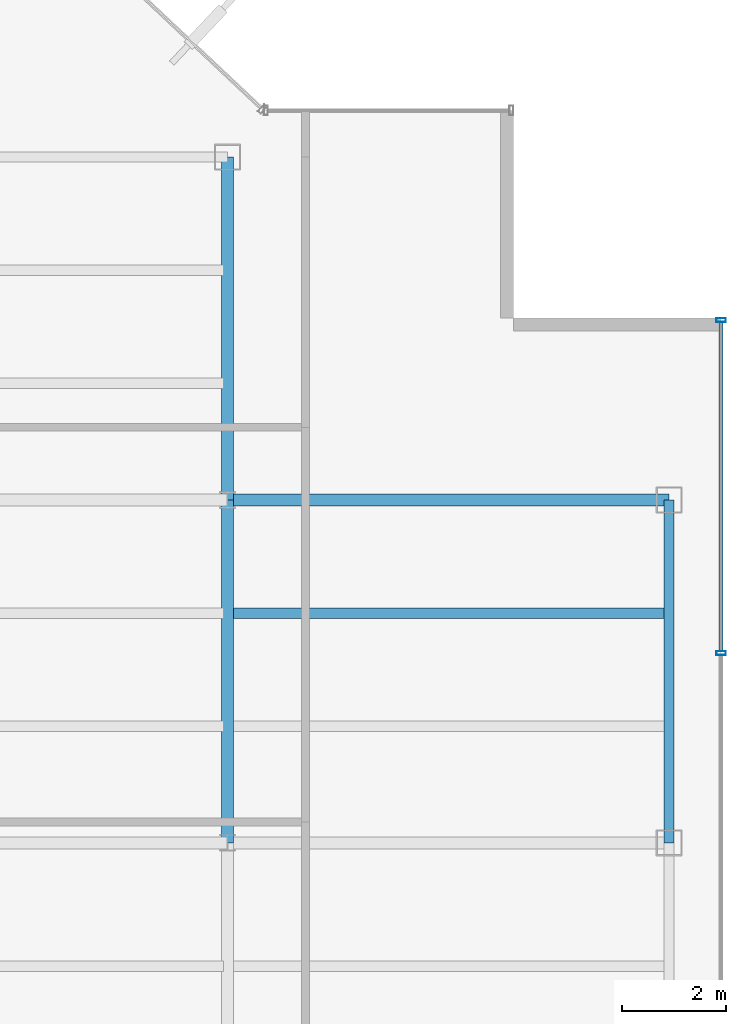
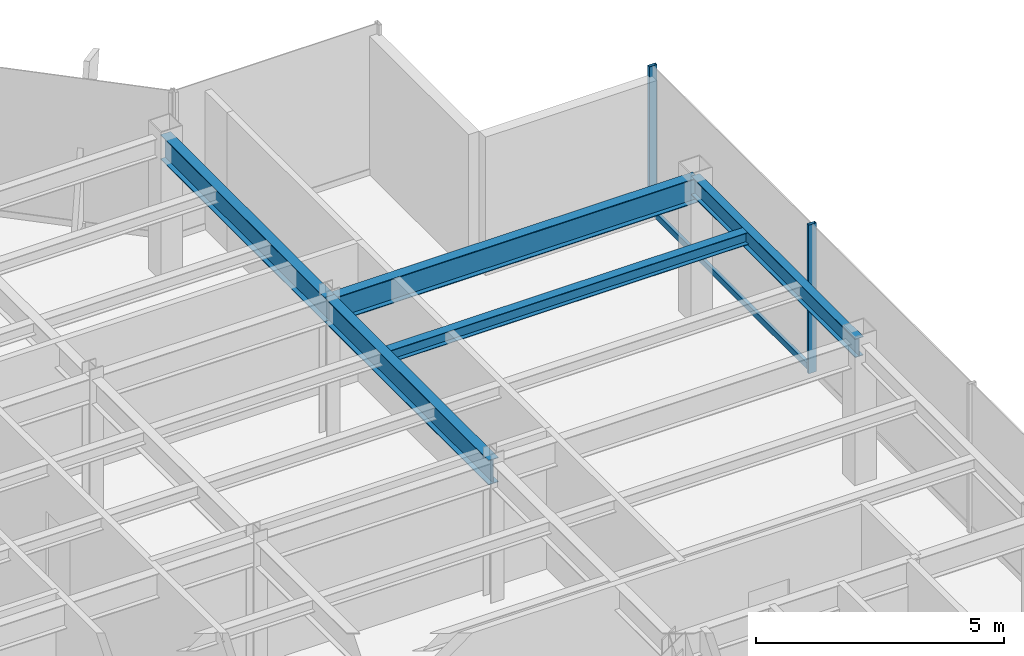
# One storey, part 11 of 22: 5 beams, 3 members, 1 element without a shape of its own.
"""IFC4 building model written with IfcOpenShell, lengths in metres."""

import ifcopenshell
import ifcopenshell.guid

model = None  # the IFC model being written
_history = None  # IfcOwnerHistory: only IFC2X3 demands one
_inside = {}  # id of a spatial element -> (the spatial element, [elements in it])
_under = {}  # id of a project, library or spatial element -> (it, [spatial elements below it])
_declared = {}  # id of a project -> (the project, [libraries it declares])
_typed = {}  # id of a type object -> (the type object, [elements of that type])
_made_of = {}  # id of a material, layer set ... -> (it, [elements and type objects made of it])


def new_model(schema):
    """Start an empty IFC model of exactly this schema.

    Asked for "IFC4X3", IfcOpenShell would pick the latest addendum, in which some entities
    have other attributes; the version numbers below select the first issue.
    IFC2X3 requires an IfcOwnerHistory on every rooted entity: one is made here for all.
    """
    global model, _history
    if schema == "IFC4X3":
        model = ifcopenshell.file(schema_version=(4, 3, 0, 0))
    else:
        model = ifcopenshell.file(schema=schema)
    _inside.clear()
    _under.clear()
    _declared.clear()
    _typed.clear()
    _made_of.clear()
    _history = None
    if model.schema == "IFC2X3":
        org = make("IfcOrganization", Name="unknown")
        user = make(
            "IfcPersonAndOrganization",
            ThePerson=make("IfcPerson", FamilyName="unknown"),
            TheOrganization=org,
        )
        app = make(
            "IfcApplication",
            ApplicationDeveloper=org,
            Version="unknown",
            ApplicationFullName="unknown",
            ApplicationIdentifier="unknown",
        )
        _history = make(
            "IfcOwnerHistory",
            OwningUser=user,
            OwningApplication=app,
            ChangeAction="ADDED",
            CreationDate=0,
        )
    return model


def make(cls, **values):
    """One entity of the class cls with the attributes given. An attribute that is None is left unset."""
    return model.create_entity(
        cls, **{name: value for name, value in values.items() if value is not None}
    )


def rooted(cls, **values):
    """An entity with a GlobalId (a new one), such as an element, a storey or a relation."""
    return make(cls, GlobalId=ifcopenshell.guid.new(), OwnerHistory=_history, **values)


def si_unit(unit_type, name, prefix=None):
    """IfcSIUnit, for example si_unit("LENGTHUNIT", "METRE", prefix="MILLI")."""
    return make("IfcSIUnit", UnitType=unit_type, Prefix=prefix, Name=name)


def derived_unit(unit_type, elements):
    """IfcDerivedUnit: a product of units, each with its exponent."""
    return make(
        "IfcDerivedUnit",
        Elements=[
            make("IfcDerivedUnitElement", Unit=unit, Exponent=power)
            for unit, power in elements
        ],
        UnitType=unit_type,
    )


def assignment(units):
    """IfcUnitAssignment: the units of a project."""
    return None if units is None else make("IfcUnitAssignment", Units=units)


def point(xyz):
    """IfcCartesianPoint."""
    return None if xyz is None else make("IfcCartesianPoint", Coordinates=xyz)


def direction(xyz):
    """IfcDirection."""
    return None if xyz is None else make("IfcDirection", DirectionRatios=xyz)


def frame(location, z_axis=None, x_axis=None):
    """IfcAxis2Placement3D, a coordinate frame: its origin and axes. An axis left out is left unset."""
    return make(
        "IfcAxis2Placement3D",
        Location=point(location),
        Axis=direction(z_axis),
        RefDirection=direction(x_axis),
    )


def frame_2d(location, x_axis=None):
    """IfcAxis2Placement2D, a coordinate frame in the plane: its origin and x axis."""
    return make(
        "IfcAxis2Placement2D", Location=point(location), RefDirection=direction(x_axis)
    )


def origin():
    """The frame at (0, 0, 0) with its axes left unset."""
    return frame((0.0, 0.0, 0.0))


def origin_2d():
    """The frame at (0, 0) in the plane with its x axis left unset."""
    return frame_2d((0.0, 0.0))


def place(relative_to, where):
    """IfcLocalPlacement: puts the frame where relative to a parent placement (None: the world)."""
    return make(
        "IfcLocalPlacement", PlacementRelTo=relative_to, RelativePlacement=where
    )


def context(
    kind, dimensions, precision=None, world=None, true_north=None, identifier=None
):
    """IfcGeometricRepresentationContext, for example the 3D "Model" context."""
    return make(
        "IfcGeometricRepresentationContext",
        ContextIdentifier=identifier,
        ContextType=kind,
        CoordinateSpaceDimension=dimensions,
        Precision=precision,
        WorldCoordinateSystem=world,
        TrueNorth=true_north,
    )


def subcontext(parent, identifier, kind, view, scale=None):
    """IfcGeometricRepresentationSubContext, for example "Body" below "Model"."""
    return make(
        "IfcGeometricRepresentationSubContext",
        ContextIdentifier=identifier,
        ContextType=kind,
        ParentContext=parent,
        TargetScale=scale,
        TargetView=view,
    )


def project(units=None, contexts=None):
    """IfcProject with its units and contexts."""
    return rooted(
        "IfcProject",
        Name="project",
        RepresentationContexts=contexts,
        UnitsInContext=assignment(units),
    )


def spatial(cls, under=None, at=None, **own):
    """A site, building, storey or space (cls), placed at a placement, below another one or the project."""
    s = rooted(cls, ObjectPlacement=at, **own)
    if under is not None:
        _under.setdefault(under.id(), (under, []))[1].append(s)
    return s


def profile(cls, at=None, kind="AREA", **sizes):
    """A parametric profile (cls). Its sizes go by their IFC names, for example OverallWidth=200.0."""
    return make(cls, ProfileType=kind, Position=at, **sizes)


def hollow_rectangle(**sizes):
    """IfcRectangleHollowProfileDef."""
    return profile("IfcRectangleHollowProfileDef", **sizes)


def i_section(**sizes):
    """IfcIShapeProfileDef."""
    return profile("IfcIShapeProfileDef", **sizes)


def extrude(swept, where, along, depth):
    """IfcExtrudedAreaSolid: the profile swept, set in the frame where, extruded along a direction by depth."""
    return make(
        "IfcExtrudedAreaSolid",
        SweptArea=swept,
        Position=where,
        ExtrudedDirection=direction(along),
        Depth=depth,
    )


def shape(context_of_items, identifier, shape_type, items):
    """IfcShapeRepresentation: the items that make up one representation, for example the "Body"."""
    return make(
        "IfcShapeRepresentation",
        ContextOfItems=context_of_items,
        RepresentationIdentifier=identifier,
        RepresentationType=shape_type,
        Items=items,
    )


def source(mapping_origin, context_of_items, identifier, shape_type, items):
    """IfcRepresentationMap: a shape defined once, which mapped items show again and again."""
    return make(
        "IfcRepresentationMap",
        MappingOrigin=mapping_origin,
        MappedRepresentation=shape(context_of_items, identifier, shape_type, items),
    )


def transform(
    local_origin,
    x_axis=None,
    y_axis=None,
    z_axis=None,
    scale=None,
    scale2=None,
    scale3=None,
    uniform=True,
):
    """IfcCartesianTransformationOperator3D, or its non-uniform kind. x_axis, y_axis, z_axis: its Axis1, 2, 3."""
    if uniform:
        return make(
            "IfcCartesianTransformationOperator3D",
            Axis1=direction(x_axis),
            Axis2=direction(y_axis),
            LocalOrigin=point(local_origin),
            Scale=scale,
            Axis3=direction(z_axis),
        )
    return make(
        "IfcCartesianTransformationOperator3DnonUniform",
        Axis1=direction(x_axis),
        Axis2=direction(y_axis),
        LocalOrigin=point(local_origin),
        Scale=scale,
        Axis3=direction(z_axis),
        Scale2=scale2,
        Scale3=scale3,
    )


def mapped(mapping_source, mapping_target):
    """IfcMappedItem: shows the shape of a source again, moved by a transform."""
    return make(
        "IfcMappedItem", MappingSource=mapping_source, MappingTarget=mapping_target
    )


def material(Name=None, Category=None):
    """IfcMaterial."""
    return make("IfcMaterial", Name=Name, Category=Category)


def material_profile(
    of_material, cross_section, Name=None, Category=None, Priority=None
):
    """IfcMaterialProfile: a cross section and its material."""
    return make(
        "IfcMaterialProfile",
        Name=Name,
        Material=of_material,
        Profile=cross_section,
        Priority=Priority,
        Category=Category,
    )


def profile_set(profiles, Name=None, composite=None):
    """IfcMaterialProfileSet."""
    return make(
        "IfcMaterialProfileSet",
        Name=Name,
        MaterialProfiles=profiles,
        CompositeProfile=composite,
    )


def made_of(thing, what):
    """Note that an element or type object is made of a material, layer set ...; save() writes the relation."""
    if what is not None:
        _made_of.setdefault(what.id(), (what, []))[1].append(thing)
    return thing


def type_object(cls, material=None, **own):
    """A type object (cls), such as IfcWallType, which elements share."""
    return made_of(rooted(cls, **own), material)


def element(
    cls,
    number,
    at=None,
    inside=None,
    cuts=None,
    type_object=None,
    material=None,
    context=None,
    identifier="Body",
    shape_type=None,
    held_by="IfcProductDefinitionShape",
    body=None,
    shapes=None,
    **own,
):
    """One element of the class cls, such as IfcWall. Its Tag is "e" and its number.

    at: its placement. inside: the storey or other place that contains it. cuts: it is an
    opening in that element (IfcRelVoidsElement). A single representation is given by context,
    identifier, shape_type and body (its items); several are given by shapes. held_by: the class
    of the entity that holds the representations. save() writes the other relations.
    """
    e = rooted(cls, Tag="e%d" % number, ObjectPlacement=at, **own)
    if body is not None:
        shapes = [shape(context, identifier, shape_type, body)]
    if shapes is not None:
        e.Representation = make(held_by, Representations=shapes)
    if inside is not None:
        _inside.setdefault(inside.id(), (inside, []))[1].append(e)
    if cuts is not None:
        rooted(
            "IfcRelVoidsElement", RelatingBuildingElement=cuts, RelatedOpeningElement=e
        )
    if type_object is not None:
        _typed.setdefault(type_object.id(), (type_object, []))[1].append(e)
    return made_of(e, material)


def aggregate(whole, parts):
    """IfcRelAggregates: a whole, such as a stair, and the parts it consists of."""
    return rooted("IfcRelAggregates", RelatingObject=whole, RelatedObjects=parts)


def save(model, path):
    """Write the relations noted so far, then the file.

    IfcRelAggregates (storeys below a building ...), IfcRelContainedInSpatialStructure (elements
    in a storey), IfcRelDefinesByType, IfcRelAssociatesMaterial and IfcRelDeclares: one each for
    every whole, place, type object, material and project.
    """
    for whole, parts in _under.values():
        aggregate(whole, parts)
    for where, things in _inside.values():
        rooted(
            "IfcRelContainedInSpatialStructure",
            RelatedElements=things,
            RelatingStructure=where,
        )
    for kind, things in _typed.values():
        rooted("IfcRelDefinesByType", RelatedObjects=things, RelatingType=kind)
    for what, things in _made_of.values():
        rooted("IfcRelAssociatesMaterial", RelatedObjects=things, RelatingMaterial=what)
    for by, libraries in _declared.values():
        rooted("IfcRelDeclares", RelatingContext=by, RelatedDefinitions=libraries)
    model.write(path)


model = new_model("IFC4")

# Units and contexts
model_context = context("Model", 3, precision=1e-05, world=origin(), true_north=direction((0.0, 1.0)))
body_context = subcontext(model_context, "Body", "Model", "MODEL_VIEW")
ifc_project = project(units=[si_unit("LENGTHUNIT", "METRE"), si_unit("AREAUNIT", "SQUARE_METRE"), si_unit("VOLUMEUNIT", "CUBIC_METRE"), si_unit("PLANEANGLEUNIT", "RADIAN"), si_unit("MASSUNIT", "GRAM", prefix="KILO"), derived_unit("THERMALTRANSMITTANCEUNIT", [(si_unit("POWERUNIT", "WATT"), 1), (si_unit("LENGTHUNIT", "METRE"), -2), (si_unit("THERMODYNAMICTEMPERATUREUNIT", "KELVIN"), -1)])], contexts=[model_context])

# Site, building, storey
site_placement = place(None, origin())
site = spatial("IfcSite", under=ifc_project, at=site_placement, CompositionType="ELEMENT")
building_placement = place(site_placement, origin())
building = spatial("IfcBuilding", under=site, at=building_placement, Name="Skarnbrae Concourse Arena and Tower", CompositionType="ELEMENT")
storey_placement = place(building_placement, frame((0.0, 0.0, 255.14990234375)))
storey = spatial("IfcBuildingStorey", under=building, at=storey_placement, Name="L66", CompositionType="ELEMENT", Elevation=255.14990234375)

# Beams
ifc_material_1 = material(Name="Steel CSA G40.21 350W", Category="steel")
ifc_material_profile_1 = material_profile(ifc_material_1, i_section(OverallWidth=0.22802734375, OverallDepth=0.60791015625, WebThickness=0.01123046875, FlangeThickness=0.017333984375, at=origin_2d()), Name="W610X113")
ifc_profile_set_1 = profile_set([ifc_material_profile_1], Name="Steel CSA G40.21 350W")
beam_type_1 = type_object("IfcBeamType", Name="BM-GIRD-W610X113", PredefinedType="BEAM", material=ifc_profile_set_1)
shared_shape_1 = source(origin(), body_context, "Body", "SweptSolid", [
    extrude(i_section(OverallWidth=0.22802734375, OverallDepth=0.60791015625, WebThickness=0.01123046875, FlangeThickness=0.017333984375, at=origin_2d()), origin(), (0.0, 0.0, 1.0), 6.60009765625),
])
beam_1_placement = place(storey_placement, frame((33.5, 21.199951171875, 3.09619140625), z_axis=(0.0, 1.0, 0.0), x_axis=(-1.0, 0.0, 0.0)))
element("IfcBeam", 1, at=beam_1_placement, inside=storey, type_object=beam_type_1, Name="L66 Primary N-S girder X33.5-2", PredefinedType="BEAM", context=body_context, shape_type="MappedRepresentation", body=[
    mapped(shared_shape_1, transform((0.0, 0.0, 0.0))),
])
shared_shape_2 = source(origin(), body_context, "Body", "SweptSolid", [
    extrude(i_section(OverallWidth=0.22802734375, OverallDepth=0.60791015625, WebThickness=0.01123046875, FlangeThickness=0.017333984375, at=origin_2d()), origin(), (0.0, 0.0, 1.0), 8.5),
])
beam_2_placement = place(storey_placement, frame((33.5, 27.800048828125, 3.09619140625), z_axis=(1.0, 0.0, 0.0), x_axis=(0.0, 1.0, 0.0)))
element("IfcBeam", 2, at=beam_2_placement, inside=storey, type_object=beam_type_1, Name="L66 Primary E-W girder Y27.8-6", PredefinedType="BEAM", context=body_context, shape_type="MappedRepresentation", body=[
    mapped(shared_shape_2, transform((0.0, 0.0, 0.0))),
])
ifc_material_profile_2 = material_profile(ifc_material_1, i_section(OverallWidth=0.19091796875, OverallDepth=0.4599609375, WebThickness=0.010009765625, FlangeThickness=0.01611328125, at=origin_2d()), Name="W460X82")
ifc_profile_set_2 = profile_set([ifc_material_profile_2], Name="Steel CSA G40.21 350W")
beam_type_2 = type_object("IfcBeamType", Name="BM-SPAN-W460X82", PredefinedType="SPANDREL", material=ifc_profile_set_2)
shared_shape_3 = source(origin(), body_context, "Body", "SweptSolid", [
    extrude(i_section(OverallWidth=0.19091796875, OverallDepth=0.4599609375, WebThickness=0.010009765625, FlangeThickness=0.01611328125, at=origin_2d()), origin(), (0.0, 0.0, 1.0), 6.60009765625),
])
beam_3_placement = place(storey_placement, frame((42.0, 21.199951171875, 3.170166015625), z_axis=(0.0, 1.0, 0.0), x_axis=(-1.0, 0.0, 0.0)))
element("IfcBeam", 3, at=beam_3_placement, inside=storey, type_object=beam_type_2, Name="L66 Perimeter spandrel X42.0-3", PredefinedType="SPANDREL", context=body_context, shape_type="MappedRepresentation", body=[
    mapped(shared_shape_3, transform((0.0, 0.0, 0.0))),
])
shared_shape_4 = source(origin(), body_context, "Body", "SweptSolid", [
    extrude(i_section(OverallWidth=0.22802734375, OverallDepth=0.60791015625, WebThickness=0.01123046875, FlangeThickness=0.017333984375, at=origin_2d()), origin(), (0.0, 0.0, 1.0), 6.599853515625),
])
beam_4_placement = place(storey_placement, frame((33.5, 27.800048828125, 3.09619140625), z_axis=(0.0, 1.0, 0.0), x_axis=(-1.0, 0.0, 0.0)))
element("IfcBeam", 4, at=beam_4_placement, inside=storey, type_object=beam_type_1, Name="L66 Primary N-S girder X33.5-3", PredefinedType="BEAM", context=body_context, shape_type="MappedRepresentation", body=[
    mapped(shared_shape_4, transform((0.0, 0.0, 0.0))),
])
ifc_material_profile_3 = material_profile(ifc_material_1, i_section(OverallWidth=0.202880859375, OverallDepth=0.302978515625, WebThickness=0.007568359375, FlangeThickness=0.01318359375, at=origin_2d()), Name="W310X60")
ifc_profile_set_3 = profile_set([ifc_material_profile_3], Name="Steel CSA G40.21 350W")
beam_type_3 = type_object("IfcBeamType", Name="BM-JOIST-W310X60", PredefinedType="JOIST", material=ifc_profile_set_3)
shared_shape_5 = source(origin(), body_context, "Body", "SweptSolid", [
    extrude(i_section(OverallWidth=0.202880859375, OverallDepth=0.302978515625, WebThickness=0.007568359375, FlangeThickness=0.01318359375, at=origin_2d()), origin(), (0.0, 0.0, 1.0), 8.33984375),
])
beam_5_placement = place(storey_placement, frame((33.580078125, 25.6220703125, 3.24853515625), z_axis=(1.0, 0.0, 0.0), x_axis=(0.0, 1.0, 0.0)))
element("IfcBeam", 5, at=beam_5_placement, inside=storey, type_object=beam_type_3, Name="L66 Secondary floor joist 2.2.6", PredefinedType="JOIST", context=body_context, shape_type="MappedRepresentation", body=[
    mapped(shared_shape_5, transform((0.0, 0.0, 0.0))),
])

# Curtain wall, members
ifc_material_2 = material(Name="Bronze anodised aluminium 6063-T6", Category="aluminium")
curtain_wall_type = type_object("IfcCurtainWallType", Name="CW-SYS-05-HIGHZONE", PredefinedType="USERDEFINED", material=ifc_material_2)
curtain_wall_placement = place(storey_placement, origin())
curtain_wall = element("IfcCurtainWall", 6, at=curtain_wall_placement, inside=storey, type_object=curtain_wall_type, Name="L66 Unitised curtain wall CW-L66-E04", ObjectType="UNITISED CURTAIN WALL", PredefinedType="USERDEFINED")
ifc_material_profile_4 = material_profile(ifc_material_2, hollow_rectangle(XDim=0.074951171875, YDim=0.14990234375, WallThickness=0.00390625, at=origin_2d()), Name="ALU-TRAN-75X150")
ifc_profile_set_4 = profile_set([ifc_material_profile_4], Name="Bronze anodised aluminium 6063-T6")
member_type_1 = type_object("IfcMemberType", Name="CWT-CW-05", PredefinedType="USERDEFINED", material=ifc_profile_set_4)
shared_shape_6 = source(origin(), body_context, "Body", "SweptSolid", [
    extrude(hollow_rectangle(XDim=0.074951171875, YDim=0.14990234375, WallThickness=0.00390625, at=origin_2d()), origin(), (0.0, 0.0, 1.0), 6.337646484375),
])
member_1_placement = place(storey_placement, frame((43.0, 24.887451171875, 0.0751953125), z_axis=(0.0, 1.0, 0.0), x_axis=(-1.0, 0.0, 0.0)))
member_1 = element("IfcMember", 7, at=member_1_placement, type_object=member_type_1, Name="CW-L66-E04 Transom 4", ObjectType="TRANSOM", PredefinedType="USERDEFINED", context=body_context, shape_type="MappedRepresentation", body=[
    mapped(shared_shape_6, transform((0.0, 0.0, 0.0))),
])
ifc_material_profile_5 = material_profile(ifc_material_2, hollow_rectangle(XDim=0.074951171875, YDim=0.179931640625, WallThickness=0.00390625, at=origin_2d()), Name="ALU-MULL-75X180")
ifc_profile_set_5 = profile_set([ifc_material_profile_5], Name="Bronze anodised aluminium 6063-T6")
member_type_2 = type_object("IfcMemberType", Name="CWM-CW-05", PredefinedType="MULLION", material=ifc_profile_set_5)
shared_shape_7 = source(origin(), body_context, "Body", "SweptSolid", [
    extrude(hollow_rectangle(XDim=0.074951171875, YDim=0.179931640625, WallThickness=0.00390625, at=origin_2d()), origin(), (0.0, 0.0, 1.0), 3.650146484375),
])
member_2_placement = place(storey_placement, frame((43.0, 24.85009765625, 0.0), z_axis=(0.0, 0.0, 1.0), x_axis=(0.0, 1.0, 0.0)))
member_2 = element("IfcMember", 8, at=member_2_placement, type_object=member_type_2, Name="CW-L66-E04 Mullion 4", PredefinedType="MULLION", context=body_context, shape_type="MappedRepresentation", body=[
    mapped(shared_shape_7, transform((0.0, 0.0, 0.0))),
])
member_3_placement = place(storey_placement, frame((43.0, 31.262451171875, 0.0), z_axis=(0.0, 0.0, 1.0), x_axis=(0.0, 1.0, 0.0)))
member_3 = element("IfcMember", 9, at=member_3_placement, type_object=member_type_2, Name="CW-L66-E04 Mullion 5", PredefinedType="MULLION", context=body_context, shape_type="MappedRepresentation", body=[
    mapped(shared_shape_7, transform((0.0, 0.0, 0.0))),
])
aggregate(curtain_wall, [member_2, member_3, member_1])

save(model, "model.ifc")
